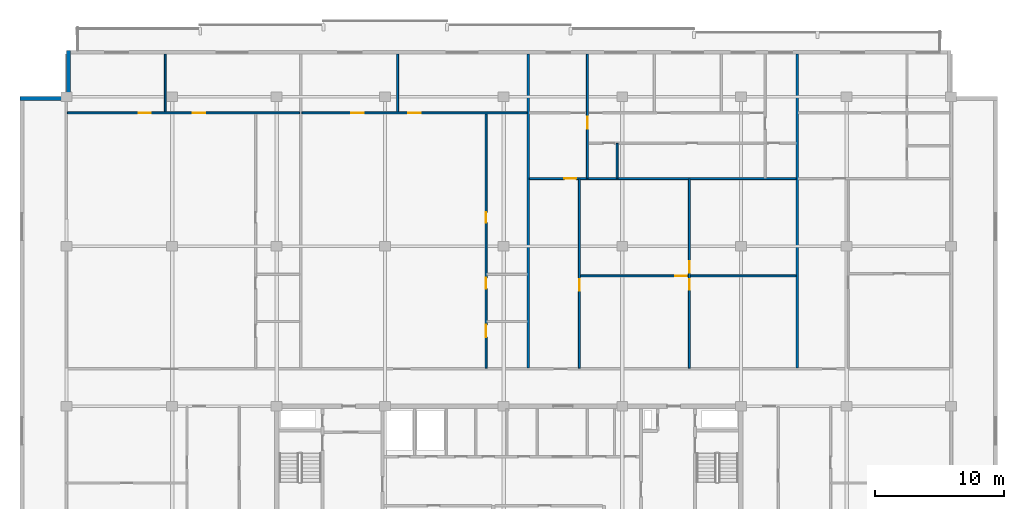
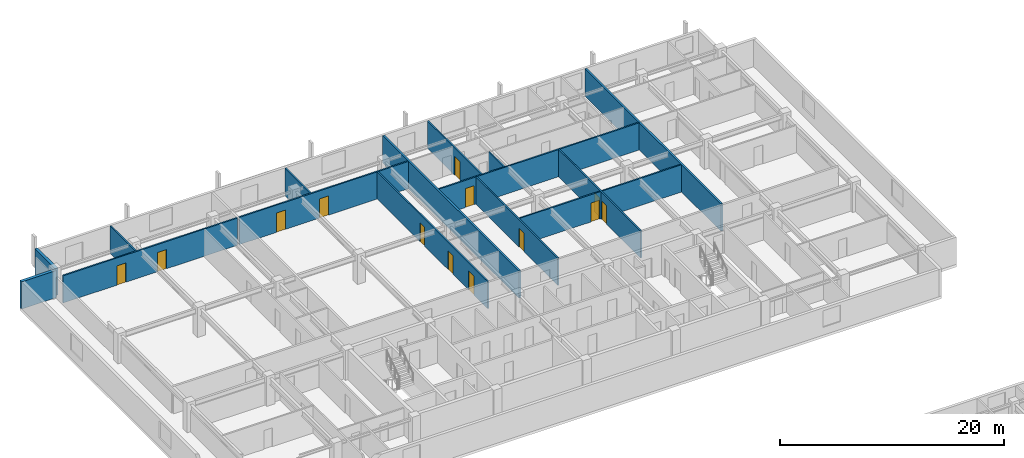
# One storey, part 14 of 22: 15 walls, 13 doors, 13 openings.
"""IFC4 building model written with IfcOpenShell, lengths in metres."""

from ifc_helpers import new_model, si_unit, direction, frame, frame_2d, origin, place, context, subcontext, project, spatial, rectangle, extrude, material, layer, layer_set, type_object, element, fill, save


model = new_model("IFC4")

# Units and contexts
model_context = context("Model", 3, precision=1e-05, world=origin(), true_north=direction((0.0, 1.0)))
body_context = subcontext(model_context, "Body", "Model", "MODEL_VIEW")
ifc_project = project(units=[si_unit("LENGTHUNIT", "METRE"), si_unit("AREAUNIT", "SQUARE_METRE"), si_unit("VOLUMEUNIT", "CUBIC_METRE"), si_unit("PLANEANGLEUNIT", "RADIAN"), si_unit("MASSUNIT", "GRAM", prefix="KILO")], contexts=[model_context])

# Site, building, storey
site_placement = place(None, origin())
site = spatial("IfcSite", under=ifc_project, at=site_placement, CompositionType="ELEMENT")
building_placement = place(site_placement, origin())
building = spatial("IfcBuilding", under=site, at=building_placement, Name="Korimba Cascade Residences", CompositionType="ELEMENT")
storey_placement = place(building_placement, frame((0.0, 0.0, 191.35009765625)))
storey = spatial("IfcBuildingStorey", under=building, at=storey_placement, Name="L55", CompositionType="ELEMENT", Elevation=191.35009765625)

# Walls
ifc_material_1 = material(Name="Precast concrete C40/50", Category="concrete")
ifc_layer_1 = layer(ifc_material_1, 0.300048828125)
ifc_layer_set_1 = layer_set([ifc_layer_1], Name="Precast concrete C40/50")
wall_type_1 = type_object("IfcWallType", Name="EW-STONE-300", PredefinedType="STANDARD", material=ifc_layer_set_1)
for number, where, z_axis, x_axis, name in (
    (1, (59.949951171875, 94.800048828125, 0.0), (0.0, 0.0, 1.0), (0.0, -1.0, 0.0), "L55 T1 Perimeter Stone Wall E07"),
    (2, (59.800048828125, 91.050048828125, 0.0), (0.0, 0.0, 1.0), (-1.0, 0.0, 0.0), "L55 T1 Perimeter Stone Wall E08"),
):
    element("IfcWall", number, at=place(storey_placement, frame(where, z_axis=z_axis, x_axis=x_axis)), inside=storey, type_object=wall_type_1, Name=name, PredefinedType="STANDARD", context=body_context, shape_type="SweptSolid", body=[
        extrude(rectangle(XDim=3.60009765625, YDim=0.300048828125, at=frame_2d((1.800048828125, 0.0))), origin(), (0.0, 0.0, 1.0), 2.969970703125),
    ])
ifc_layer_2 = layer(ifc_material_1, 0.199951171875)
ifc_layer_set_2 = layer_set([ifc_layer_2], Name="Precast concrete C40/50")
wall_type_2 = type_object("IfcWallType", Name="WAL-IT-200", PredefinedType="PARTITIONING", material=ifc_layer_set_2)
for number, where, z_axis, x_axis, name in (
    (3, (95.611328125, 70.179931640625, 0.0), (0.0, 0.0, 1.0), (0.0, 1.0, 0.0), "L55 Partition Wall WAL-L55-T1-DEM-2"),
    (4, (116.452392578125, 70.179931640625, 0.0), (0.0, 0.0, 1.0), (0.0, 1.0, 0.0), "L55 Partition Wall WAL-L55-T1-DEM-3"),
):
    element("IfcWall", number, at=place(storey_placement, frame(where, z_axis=z_axis, x_axis=x_axis)), inside=storey, type_object=wall_type_2, Name=name, PredefinedType="PARTITIONING", context=body_context, shape_type="SweptSolid", body=[
        extrude(rectangle(XDim=24.320068359375, YDim=0.199951171875, at=frame_2d((12.16015625, 0.0))), origin(), (0.0, 0.0, 1.0), 2.969970703125),
    ])
ifc_material_2 = material(Name="Insulated Acoustic Stud Partition", Category="gypsum")
ifc_layer_3 = layer(ifc_material_2, 0.14990234375)
ifc_layer_set_3 = layer_set([ifc_layer_3], Name="Insulated Acoustic Stud Partition")
wall_type_3 = type_object("IfcWallType", Name="WAL-PART-150", PredefinedType="PARTITIONING", material=ifc_layer_set_3)
wall_1_placement = place(storey_placement, frame((67.464111328125, 90.030029296875, 0.0), z_axis=(0.0, 0.0, 1.0), x_axis=(0.0, 1.0, 0.0)))
element("IfcWall", 5, at=wall_1_placement, inside=storey, type_object=wall_type_3, Name="L55 Partition Wall WAL-L55-T1-U01-OUTV", PredefinedType="PARTITIONING", context=body_context, shape_type="SweptSolid", body=[
    extrude(rectangle(XDim=4.469970703125, YDim=0.14990234375, at=frame_2d((2.23486328125, 0.0))), origin(), (0.0, 0.0, 1.0), 2.969970703125),
])

# Wall, openings, doors
wall_2_placement = place(storey_placement, frame((59.8798828125, 89.949951171875, 0.0), z_axis=(0.0, 0.0, 1.0), x_axis=(1.0, 0.0, 0.0)))
wall_2 = element("IfcWall", 6, at=wall_2_placement, inside=storey, type_object=wall_type_3, Name="L55 Partition Wall WAL-L55-T1-U01-HZ", PredefinedType="PARTITIONING", context=body_context, shape_type="SweptSolid", body=[
    extrude(rectangle(XDim=18.00830078125, YDim=0.14990234375, at=frame_2d((9.004150390625, 0.0))), origin(), (0.0, 0.0, 1.0), 2.969970703125),
])
opening_1_placement = place(wall_2_placement, frame((5.533935546875, 0.0, 0.0)))
opening_1 = element("IfcOpeningElement", 7, at=opening_1_placement, cuts=wall_2, Name="Opening D-IN0", PredefinedType="OPENING", context=body_context, shape_type="SweptSolid", body=[
    extrude(rectangle(XDim=0.93994140625, YDim=2.10009765625, at=frame_2d((0.469970703125, 1.050048828125))), frame((0.0, 0.0849609375, 0.0), z_axis=(0.0, -1.0, 0.0), x_axis=(1.0, 0.0, 0.0)), (0.0, 0.0, 1.0), 0.169921875),
])
opening_2_placement = place(wall_2_placement, frame((9.725830078125, 0.0, 0.0)))
opening_2 = element("IfcOpeningElement", 8, at=opening_2_placement, cuts=wall_2, Name="Opening D-IN0", PredefinedType="OPENING", context=body_context, shape_type="SweptSolid", body=[
    extrude(rectangle(XDim=0.93994140625, YDim=2.10009765625, at=frame_2d((0.469970703125, 1.050048828125))), frame((0.0, 0.0849609375, 0.0), z_axis=(0.0, -1.0, 0.0), x_axis=(1.0, 0.0, 0.0)), (0.0, 0.0, 1.0), 0.169921875),
])
ifc_material_3 = material(Name="Acoustic Timber Living Archway Door", Category="wood")
door_type_1 = type_object("IfcDoorType", Name="DR-INT-950", OperationType="NOTDEFINED", PredefinedType="DOOR", material=ifc_material_3)
door_1_placement = place(opening_1_placement, origin())
door_1 = element("IfcDoor", 9, at=door_1_placement, inside=storey, type_object=door_type_1, Name="L55-T1-U01 Resident Gourmet Market Door", OperationType="SINGLE_SWING_RIGHT", OverallHeight=2.10009765625, OverallWidth=0.93994140625, PredefinedType="DOOR", context=body_context, shape_type="SweptSolid", body=[
    extrude(rectangle(XDim=0.93994140625, YDim=2.10009765625, at=frame_2d((0.469970703125, 1.050048828125))), frame((0.0, 0.02490234375, 0.0), z_axis=(0.0, -1.0, 0.0), x_axis=(1.0, 0.0, 0.0)), (0.0, 0.0, 1.0), 0.050048828125),
])
fill(opening_1, door_1)
door_2_placement = place(opening_2_placement, origin())
door_2 = element("IfcDoor", 10, at=door_2_placement, inside=storey, type_object=door_type_1, Name="L55-T1-U01 Artisan Gallery Boutique Door", OperationType="SINGLE_SWING_LEFT", OverallHeight=2.10009765625, OverallWidth=0.93994140625, PredefinedType="DOOR", context=body_context, shape_type="SweptSolid", body=[
    extrude(rectangle(XDim=0.93994140625, YDim=2.10009765625, at=frame_2d((0.469970703125, 1.050048828125))), frame((0.0, 0.02490234375, 0.0), z_axis=(0.0, -1.0, 0.0), x_axis=(1.0, 0.0, 0.0)), (0.0, 0.0, 1.0), 0.050048828125),
])
fill(opening_2, door_2)

wall_3_placement = place(storey_placement, frame((92.34130859375, 70.159912109375, 0.0), z_axis=(0.0, 0.0, 1.0), x_axis=(0.0, 1.0, 0.0)))
wall_3 = element("IfcWall", 11, at=wall_3_placement, inside=storey, type_object=wall_type_3, Name="L55 Partition Wall WAL-L55-T1-U02-WCV", PredefinedType="PARTITIONING", context=body_context, shape_type="SweptSolid", body=[
    extrude(rectangle(XDim=19.72998046875, YDim=0.14990234375, at=frame_2d((9.864990234375, 0.0))), origin(), (0.0, 0.0, 1.0), 2.969970703125),
])
opening_3_placement = place(wall_3_placement, frame((2.406005859375, 0.0, 0.0)))
opening_3 = element("IfcOpeningElement", 12, at=opening_3_placement, cuts=wall_3, Name="Opening D-AC1", PredefinedType="OPENING", context=body_context, shape_type="SweptSolid", body=[
    extrude(rectangle(XDim=0.9599609375, YDim=2.10009765625, at=frame_2d((0.47998046875, 1.050048828125))), frame((0.0, 0.0849609375, 0.0), z_axis=(0.0, -1.0, 0.0), x_axis=(1.0, 0.0, 0.0)), (0.0, 0.0, 1.0), 0.169921875),
])
opening_4_placement = place(wall_3_placement, frame((6.132568359375, 0.0, 0.0)))
opening_4 = element("IfcOpeningElement", 13, at=opening_4_placement, cuts=wall_3, Name="Opening D-IN2", PredefinedType="OPENING", context=body_context, shape_type="SweptSolid", body=[
    extrude(rectangle(XDim=0.8798828125, YDim=2.06005859375, at=frame_2d((0.43994140625, 1.030029296875))), frame((0.0, 0.0849609375, 0.0), z_axis=(0.0, -1.0, 0.0), x_axis=(1.0, 0.0, 0.0)), (0.0, 0.0, 1.0), 0.169921875),
])
opening_5_placement = place(wall_3_placement, frame((11.2578125, 0.0, 0.0)))
opening_5 = element("IfcOpeningElement", 14, at=opening_5_placement, cuts=wall_3, Name="Opening D-BT1", PredefinedType="OPENING", context=body_context, shape_type="SweptSolid", body=[
    extrude(rectangle(XDim=0.840087890625, YDim=2.0400390625, at=frame_2d((0.419921875, 1.02001953125))), frame((0.0, 0.0849609375, 0.0), z_axis=(0.0, -1.0, 0.0), x_axis=(1.0, 0.0, 0.0)), (0.0, 0.0, 1.0), 0.169921875),
])
ifc_material_4 = material(Name="Accessible Acoustic Timber WC Door", Category="wood")
door_type_2 = type_object("IfcDoorType", Name="DR-ACC-950", OperationType="NOTDEFINED", PredefinedType="DOOR", material=ifc_material_4)
door_3_placement = place(opening_3_placement, origin())
door_3 = element("IfcDoor", 15, at=door_3_placement, inside=storey, type_object=door_type_2, Name="L55-T1-U02 Accessible WC Door", OperationType="SINGLE_SWING_RIGHT", OverallHeight=2.10009765625, OverallWidth=0.9599609375, PredefinedType="DOOR", context=body_context, shape_type="SweptSolid", body=[
    extrude(rectangle(XDim=0.9599609375, YDim=2.10009765625, at=frame_2d((0.47998046875, 1.050048828125))), frame((0.0, 0.02490234375, 0.0), z_axis=(0.0, -1.0, 0.0), x_axis=(1.0, 0.0, 0.0)), (0.0, 0.0, 1.0), 0.050048828125),
])
fill(opening_3, door_3)
ifc_material_5 = material(Name="Moisture-Resistant Bathroom Timber Door", Category="wood")
door_type_3 = type_object("IfcDoorType", Name="DR-INT-850", OperationType="NOTDEFINED", PredefinedType="DOOR", material=ifc_material_5)
door_4_placement = place(opening_5_placement, origin())
door_4 = element("IfcDoor", 16, at=door_4_placement, inside=storey, type_object=door_type_3, Name="L55-T1-U02 Suite Store Door", OperationType="SINGLE_SWING_RIGHT", OverallHeight=2.0400390625, OverallWidth=0.840087890625, PredefinedType="DOOR", context=body_context, shape_type="SweptSolid", body=[
    extrude(rectangle(XDim=0.840087890625, YDim=2.0400390625, at=frame_2d((0.419921875, 1.02001953125))), frame((0.0, 0.02490234375, 0.0), z_axis=(0.0, -1.0, 0.0), x_axis=(1.0, 0.0, 0.0)), (0.0, 0.0, 1.0), 0.050048828125),
])
fill(opening_5, door_4)
ifc_material_6 = material(Name="Acoustic Timber Bedroom Door", Category="wood")
door_type_4 = type_object("IfcDoorType", Name="DR-INT-880", OperationType="NOTDEFINED", PredefinedType="DOOR", material=ifc_material_6)
door_5_placement = place(opening_4_placement, origin())
door_5 = element("IfcDoor", 17, at=door_5_placement, inside=storey, type_object=door_type_4, Name="L55-T1-U02 Restroom WC Door", OperationType="SINGLE_SWING_LEFT", OverallHeight=2.06005859375, OverallWidth=0.8798828125, PredefinedType="DOOR", context=body_context, shape_type="SweptSolid", body=[
    extrude(rectangle(XDim=0.8798828125, YDim=2.06005859375, at=frame_2d((0.43994140625, 1.030029296875))), frame((0.0, 0.02490234375, 0.0), z_axis=(0.0, -1.0, 0.0), x_axis=(1.0, 0.0, 0.0)), (0.0, 0.0, 1.0), 0.050048828125),
])
fill(opening_4, door_5)

# Wall
wall_4_placement = place(storey_placement, frame((85.48486328125, 90.030029296875, 0.0), z_axis=(0.0, 0.0, 1.0), x_axis=(0.0, 1.0, 0.0)))
element("IfcWall", 18, at=wall_4_placement, inside=storey, type_object=wall_type_3, Name="L55 Partition Wall WAL-L55-T1-U02-OUTV", PredefinedType="PARTITIONING", context=body_context, shape_type="SweptSolid", body=[
    extrude(rectangle(XDim=4.469970703125, YDim=0.14990234375, at=frame_2d((2.23486328125, 0.0))), origin(), (0.0, 0.0, 1.0), 2.969970703125),
])

# Wall, openings, doors
wall_5_placement = place(storey_placement, frame((78.048095703125, 89.949951171875, 0.0), z_axis=(0.0, 0.0, 1.0), x_axis=(1.0, 0.0, 0.0)))
wall_5 = element("IfcWall", 19, at=wall_5_placement, inside=storey, type_object=wall_type_3, Name="L55 Partition Wall WAL-L55-T1-U02-HZ", PredefinedType="PARTITIONING", context=body_context, shape_type="SweptSolid", body=[
    extrude(rectangle(XDim=17.4833984375, YDim=0.14990234375, at=frame_2d((8.74169921875, 0.0))), origin(), (0.0, 0.0, 1.0), 2.969970703125),
])
opening_6_placement = place(wall_5_placement, frame((3.847900390625, 0.0, 0.0)))
opening_6 = element("IfcOpeningElement", 20, at=opening_6_placement, cuts=wall_5, Name="Opening D-IN0", PredefinedType="OPENING", context=body_context, shape_type="SweptSolid", body=[
    extrude(rectangle(XDim=0.93994140625, YDim=2.10009765625, at=frame_2d((0.469970703125, 1.050048828125))), frame((0.0, 0.0849609375, 0.0), z_axis=(0.0, -1.0, 0.0), x_axis=(1.0, 0.0, 0.0)), (0.0, 0.0, 1.0), 0.169921875),
])
opening_7_placement = place(wall_5_placement, frame((8.271484375, 0.0, 0.0)))
opening_7 = element("IfcOpeningElement", 21, at=opening_7_placement, cuts=wall_5, Name="Opening D-IN0", PredefinedType="OPENING", context=body_context, shape_type="SweptSolid", body=[
    extrude(rectangle(XDim=0.93994140625, YDim=2.10009765625, at=frame_2d((0.469970703125, 1.050048828125))), frame((0.0, 0.0849609375, 0.0), z_axis=(0.0, -1.0, 0.0), x_axis=(1.0, 0.0, 0.0)), (0.0, 0.0, 1.0), 0.169921875),
])
door_6_placement = place(opening_6_placement, origin())
door_6 = element("IfcDoor", 22, at=door_6_placement, inside=storey, type_object=door_type_1, Name="L55-T1-U02 Fitness Pilates Gym Door", OperationType="SINGLE_SWING_LEFT", OverallHeight=2.10009765625, OverallWidth=0.93994140625, PredefinedType="DOOR", context=body_context, shape_type="SweptSolid", body=[
    extrude(rectangle(XDim=0.93994140625, YDim=2.10009765625, at=frame_2d((0.469970703125, 1.050048828125))), frame((0.0, 0.02490234375, 0.0), z_axis=(0.0, -1.0, 0.0), x_axis=(1.0, 0.0, 0.0)), (0.0, 0.0, 1.0), 0.050048828125),
])
fill(opening_6, door_6)
door_7_placement = place(opening_7_placement, origin())
door_7 = element("IfcDoor", 23, at=door_7_placement, inside=storey, type_object=door_type_1, Name="L55-T1-U02 Private Screening Cinema Door", OperationType="SINGLE_SWING_RIGHT", OverallHeight=2.10009765625, OverallWidth=0.93994140625, PredefinedType="DOOR", context=body_context, shape_type="SweptSolid", body=[
    extrude(rectangle(XDim=0.93994140625, YDim=2.10009765625, at=frame_2d((0.469970703125, 1.050048828125))), frame((0.0, 0.02490234375, 0.0), z_axis=(0.0, -1.0, 0.0), x_axis=(1.0, 0.0, 0.0)), (0.0, 0.0, 1.0), 0.050048828125),
])
fill(opening_7, door_7)

wall_6_placement = place(storey_placement, frame((108.106689453125, 70.159912109375, 0.0), z_axis=(0.0, 0.0, 1.0), x_axis=(0.0, 1.0, 0.0)))
wall_6 = element("IfcWall", 24, at=wall_6_placement, inside=storey, type_object=wall_type_3, Name="L55 Partition Wall WAL-L55-T1-U03-FMV", PredefinedType="PARTITIONING", context=body_context, shape_type="SweptSolid", body=[
    extrude(rectangle(XDim=14.650146484375, YDim=0.14990234375, at=frame_2d((7.3251953125, 0.0))), origin(), (0.0, 0.0, 1.0), 2.969970703125),
])
opening_8_placement = place(wall_6_placement, frame((6.054931640625, 0.0, 0.0)))
opening_8 = element("IfcOpeningElement", 25, at=opening_8_placement, cuts=wall_6, Name="Opening D-BT1", PredefinedType="OPENING", context=body_context, shape_type="SweptSolid", body=[
    extrude(rectangle(XDim=0.840087890625, YDim=2.0400390625, at=frame_2d((0.419921875, 1.02001953125))), frame((0.0, 0.0849609375, 0.0), z_axis=(0.0, -1.0, 0.0), x_axis=(1.0, 0.0, 0.0)), (0.0, 0.0, 1.0), 0.169921875),
])
opening_9_placement = place(wall_6_placement, frame((7.39501953125, 0.0, 0.0)))
opening_9 = element("IfcOpeningElement", 26, at=opening_9_placement, cuts=wall_6, Name="Opening D-IN2", PredefinedType="OPENING", context=body_context, shape_type="SweptSolid", body=[
    extrude(rectangle(XDim=0.8798828125, YDim=2.06005859375, at=frame_2d((0.43994140625, 1.030029296875))), frame((0.0, 0.0849609375, 0.0), z_axis=(0.0, -1.0, 0.0), x_axis=(1.0, 0.0, 0.0)), (0.0, 0.0, 1.0), 0.169921875),
])
door_8_placement = place(opening_8_placement, origin())
door_8 = element("IfcDoor", 27, at=door_8_placement, inside=storey, type_object=door_type_3, Name="L55-T1-U03 Wardrobe Door", OperationType="SINGLE_SWING_LEFT", OverallHeight=2.0400390625, OverallWidth=0.840087890625, PredefinedType="DOOR", context=body_context, shape_type="SweptSolid", body=[
    extrude(rectangle(XDim=0.840087890625, YDim=2.0400390625, at=frame_2d((0.419921875, 1.02001953125))), frame((0.0, 0.02490234375, 0.0), z_axis=(0.0, -1.0, 0.0), x_axis=(1.0, 0.0, 0.0)), (0.0, 0.0, 1.0), 0.050048828125),
])
fill(opening_8, door_8)
door_9_placement = place(opening_9_placement, origin())
door_9 = element("IfcDoor", 28, at=door_9_placement, inside=storey, type_object=door_type_4, Name="L55-T1-U03 Music Lounge Door", OperationType="SINGLE_SWING_RIGHT", OverallHeight=2.06005859375, OverallWidth=0.8798828125, PredefinedType="DOOR", context=body_context, shape_type="SweptSolid", body=[
    extrude(rectangle(XDim=0.8798828125, YDim=2.06005859375, at=frame_2d((0.43994140625, 1.030029296875))), frame((0.0, 0.02490234375, 0.0), z_axis=(0.0, -1.0, 0.0), x_axis=(1.0, 0.0, 0.0)), (0.0, 0.0, 1.0), 0.050048828125),
])
fill(opening_9, door_9)

# Wall, opening, door
wall_7_placement = place(storey_placement, frame((99.641357421875, 77.304931640625, 0.0), z_axis=(0.0, 0.0, 1.0), x_axis=(1.0, 0.0, 0.0)))
wall_7 = element("IfcWall", 29, at=wall_7_placement, inside=storey, type_object=wall_type_3, Name="L55 Partition Wall WAL-L55-T1-U03-FMH", PredefinedType="PARTITIONING", context=body_context, shape_type="SweptSolid", body=[
    extrude(rectangle(XDim=16.73095703125, YDim=0.14990234375, at=frame_2d((8.365478515625, 0.0))), origin(), (0.0, 0.0, 1.0), 2.969970703125),
])
opening_10_placement = place(wall_7_placement, frame((7.365478515625, 0.0, 0.0)))
opening_10 = element("IfcOpeningElement", 30, at=opening_10_placement, cuts=wall_7, Name="Opening D-IN2", PredefinedType="OPENING", context=body_context, shape_type="SweptSolid", body=[
    extrude(rectangle(XDim=0.8798828125, YDim=2.06005859375, at=frame_2d((0.43994140625, 1.030029296875))), frame((0.0, 0.0849609375, 0.0), z_axis=(0.0, -1.0, 0.0), x_axis=(1.0, 0.0, 0.0)), (0.0, 0.0, 1.0), 0.169921875),
])
door_10_placement = place(opening_10_placement, origin())
door_10 = element("IfcDoor", 31, at=door_10_placement, inside=storey, type_object=door_type_4, Name="L55-T1-U03 Library Salon Door", OperationType="SINGLE_SWING_LEFT", OverallHeight=2.06005859375, OverallWidth=0.8798828125, PredefinedType="DOOR", context=body_context, shape_type="SweptSolid", body=[
    extrude(rectangle(XDim=0.8798828125, YDim=2.06005859375, at=frame_2d((0.43994140625, 1.030029296875))), frame((0.0, 0.02490234375, 0.0), z_axis=(0.0, -1.0, 0.0), x_axis=(1.0, 0.0, 0.0)), (0.0, 0.0, 1.0), 0.050048828125),
])
fill(opening_10, door_10)

wall_8_placement = place(storey_placement, frame((99.581298828125, 70.159912109375, 0.0), z_axis=(0.0, 0.0, 1.0), x_axis=(0.0, 1.0, 0.0)))
wall_8 = element("IfcWall", 32, at=wall_8_placement, inside=storey, type_object=wall_type_3, Name="L55 Partition Wall WAL-L55-T1-U03-FV", PredefinedType="PARTITIONING", context=body_context, shape_type="SweptSolid", body=[
    extrude(rectangle(XDim=14.650146484375, YDim=0.14990234375, at=frame_2d((7.3251953125, 0.0))), origin(), (0.0, 0.0, 1.0), 2.969970703125),
])
opening_11_placement = place(wall_8_placement, frame((6.014892578125, 0.0, 0.0)))
opening_11 = element("IfcOpeningElement", 33, at=opening_11_placement, cuts=wall_8, Name="Opening D-IN2", PredefinedType="OPENING", context=body_context, shape_type="SweptSolid", body=[
    extrude(rectangle(XDim=0.8798828125, YDim=2.06005859375, at=frame_2d((0.43994140625, 1.030029296875))), frame((0.0, 0.0849609375, 0.0), z_axis=(0.0, -1.0, 0.0), x_axis=(1.0, 0.0, 0.0)), (0.0, 0.0, 1.0), 0.169921875),
])
door_11_placement = place(opening_11_placement, origin())
door_11 = element("IfcDoor", 34, at=door_11_placement, inside=storey, type_object=door_type_4, Name="L55-T1-U03 Media Lounge Door", OperationType="SINGLE_SWING_RIGHT", OverallHeight=2.06005859375, OverallWidth=0.8798828125, PredefinedType="DOOR", context=body_context, shape_type="SweptSolid", body=[
    extrude(rectangle(XDim=0.8798828125, YDim=2.06005859375, at=frame_2d((0.43994140625, 1.030029296875))), frame((0.0, 0.02490234375, 0.0), z_axis=(0.0, -1.0, 0.0), x_axis=(1.0, 0.0, 0.0)), (0.0, 0.0, 1.0), 0.050048828125),
])
fill(opening_11, door_11)

# Wall
wall_9_placement = place(storey_placement, frame((102.50146484375, 84.889892578125, 0.0), z_axis=(0.0, 0.0, 1.0), x_axis=(0.0, 1.0, 0.0)))
element("IfcWall", 35, at=wall_9_placement, inside=storey, type_object=wall_type_3, Name="L55 Partition Wall WAL-L55-T1-U03-VDRS", PredefinedType="PARTITIONING", context=body_context, shape_type="SweptSolid", body=[
    extrude(rectangle(XDim=2.690185546875, YDim=0.14990234375, at=frame_2d((1.34521484375, 0.0))), origin(), (0.0, 0.0, 1.0), 2.969970703125),
])

# Wall, opening, door
wall_10_placement = place(storey_placement, frame((100.19140625, 84.889892578125, 0.0), z_axis=(0.0, 0.0, 1.0), x_axis=(0.0, 1.0, 0.0)))
wall_10 = element("IfcWall", 36, at=wall_10_placement, inside=storey, type_object=wall_type_3, Name="L55 Partition Wall WAL-L55-T1-U03-V1", PredefinedType="PARTITIONING", context=body_context, shape_type="SweptSolid", body=[
    extrude(rectangle(XDim=9.610107421875, YDim=0.14990234375, at=frame_2d((4.80517578125, 0.0))), origin(), (0.0, 0.0, 1.0), 2.969970703125),
])
opening_12_placement = place(wall_10_placement, frame((3.820068359375, 0.0, 0.0)))
opening_12 = element("IfcOpeningElement", 37, at=opening_12_placement, cuts=wall_10, Name="Opening D-IN1", PredefinedType="OPENING", context=body_context, shape_type="SweptSolid", body=[
    extrude(rectangle(XDim=0.919921875, YDim=2.080078125, at=frame_2d((0.4599609375, 1.0400390625))), frame((0.0, 0.0849609375, 0.0), z_axis=(0.0, -1.0, 0.0), x_axis=(1.0, 0.0, 0.0)), (0.0, 0.0, 1.0), 0.169921875),
])
ifc_material_7 = material(Name="Acoustic Timber Living Door", Category="wood")
door_type_5 = type_object("IfcDoorType", Name="DR-INT-920", OperationType="NOTDEFINED", PredefinedType="DOOR", material=ifc_material_7)
door_12_placement = place(opening_12_placement, origin())
door_12 = element("IfcDoor", 38, at=door_12_placement, inside=storey, type_object=door_type_5, Name="L55-T1-U03 Hallway Door", OperationType="SINGLE_SWING_LEFT", OverallHeight=2.080078125, OverallWidth=0.919921875, PredefinedType="DOOR", context=body_context, shape_type="SweptSolid", body=[
    extrude(rectangle(XDim=0.919921875, YDim=2.080078125, at=frame_2d((0.4599609375, 1.0400390625))), frame((0.0, 0.02490234375, 0.0), z_axis=(0.0, -1.0, 0.0), x_axis=(1.0, 0.0, 0.0)), (0.0, 0.0, 1.0), 0.050048828125),
])
fill(opening_12, door_12)

wall_11_placement = place(storey_placement, frame((95.69140625, 84.85009765625, 0.0), z_axis=(0.0, 0.0, 1.0), x_axis=(1.0, 0.0, 0.0)))
wall_11 = element("IfcWall", 39, at=wall_11_placement, inside=storey, type_object=wall_type_3, Name="L55 Partition Wall WAL-L55-T1-U03-MW", PredefinedType="PARTITIONING", context=body_context, shape_type="SweptSolid", body=[
    extrude(rectangle(XDim=20.680908203125, YDim=0.14990234375, at=frame_2d((10.34033203125, 0.0))), origin(), (0.0, 0.0, 1.0), 2.969970703125),
])
opening_13_placement = place(wall_11_placement, frame((2.719970703125, 0.0, 0.0)))
opening_13 = element("IfcOpeningElement", 40, at=opening_13_placement, cuts=wall_11, Name="Opening D-IN1", PredefinedType="OPENING", context=body_context, shape_type="SweptSolid", body=[
    extrude(rectangle(XDim=0.919921875, YDim=2.080078125, at=frame_2d((0.4599609375, 1.0400390625))), frame((0.0, 0.0849609375, 0.0), z_axis=(0.0, -1.0, 0.0), x_axis=(1.0, 0.0, 0.0)), (0.0, 0.0, 1.0), 0.169921875),
])
door_13_placement = place(opening_13_placement, origin())
door_13 = element("IfcDoor", 41, at=door_13_placement, inside=storey, type_object=door_type_5, Name="L55-T1-U03 Kitchen Door", OperationType="SINGLE_SWING_RIGHT", OverallHeight=2.080078125, OverallWidth=0.919921875, PredefinedType="DOOR", context=body_context, shape_type="SweptSolid", body=[
    extrude(rectangle(XDim=0.919921875, YDim=2.080078125, at=frame_2d((0.4599609375, 1.0400390625))), frame((0.0, 0.02490234375, 0.0), z_axis=(0.0, -1.0, 0.0), x_axis=(1.0, 0.0, 0.0)), (0.0, 0.0, 1.0), 0.050048828125),
])
fill(opening_13, door_13)

save(model, "model.ifc")
